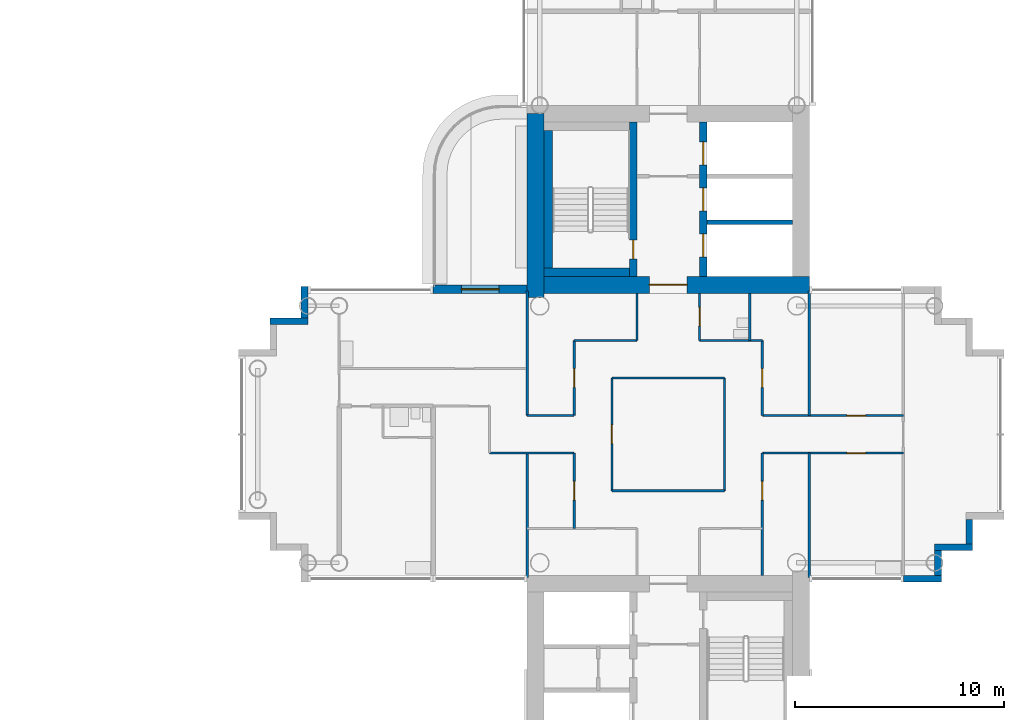
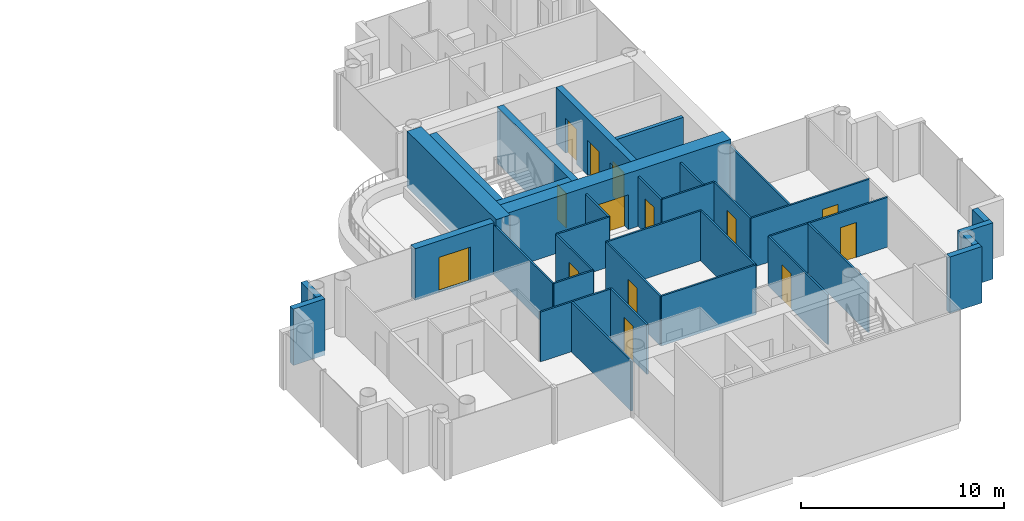
# One storey, part 11 of 19: 35 walls, 14 doors, 14 openings.
"""IFC4 building model written with IfcOpenShell, lengths in metres."""

from ifc_helpers import new_model, si_unit, direction, frame, frame_2d, origin, place, context, subcontext, project, spatial, rectangle, extrude, material, layer, layer_set, type_object, element, fill, save


model = new_model("IFC4")

# Units and contexts
model_context = context("Model", 3, precision=1e-05, world=origin(), true_north=direction((0.0, 1.0)))
body_context = subcontext(model_context, "Body", "Model", "MODEL_VIEW")
ifc_project = project(units=[si_unit("LENGTHUNIT", "METRE"), si_unit("AREAUNIT", "SQUARE_METRE"), si_unit("VOLUMEUNIT", "CUBIC_METRE"), si_unit("PLANEANGLEUNIT", "RADIAN"), si_unit("MASSUNIT", "GRAM", prefix="KILO")], contexts=[model_context])

# Site, building, storey
site_placement = place(None, origin())
site = spatial("IfcSite", under=ifc_project, at=site_placement, CompositionType="ELEMENT")
building_placement = place(site_placement, origin())
building = spatial("IfcBuilding", under=site, at=building_placement, Name="Ipe Terrace Towers", CompositionType="ELEMENT")
storey_placement = place(building_placement, frame((0.0, 0.0, 140.5)))
storey = spatial("IfcBuildingStorey", under=building, at=storey_placement, Name="L38", CompositionType="ELEMENT", Elevation=140.5)

# Wall, opening, door
ifc_material_1 = material(Name="Concrete C40/50 with buff precast cladding", Category="concrete")
ifc_layer_1 = layer(ifc_material_1, 0.39990234375)
ifc_layer_set_1 = layer_set([ifc_layer_1], Name="BALCONY BAY WALL 400")
wall_type_1 = type_object("IfcWallType", Name="BALCONY BAY WALL 400", PredefinedType="STANDARD", material=ifc_layer_set_1)
wall_1_placement = place(storey_placement, frame((29.25, 6.949951171875, -0.02001953125), z_axis=(0.0, 0.0, 1.0), x_axis=(-1.0, 0.0, 0.0)))
wall_1 = element("IfcWall", 1, at=wall_1_placement, inside=storey, type_object=wall_type_1, Name="T2-W-L38-28a wall", PredefinedType="STANDARD", context=body_context, shape_type="SweptSolid", body=[
    extrude(rectangle(XDim=4.5, YDim=0.39990234375, at=frame_2d((2.25, 0.0))), origin(), (0.0, 0.0, 1.0), 3.1201171875),
])
opening_1_placement = place(wall_1_placement, frame((1.35009765625, 0.0, 0.02001953125)))
opening_1 = element("IfcOpeningElement", 2, at=opening_1_placement, cuts=wall_1, Name="Opening T2-D-L38-28", PredefinedType="OPENING", context=body_context, shape_type="SweptSolid", body=[
    extrude(rectangle(XDim=1.800048828125, YDim=2.10009765625, at=frame_2d((0.89990234375, 1.050048828125))), frame((0.0, 0.2099609375, 0.0), z_axis=(0.0, -1.0, 0.0), x_axis=(1.0, 0.0, 0.0)), (0.0, 0.0, 1.0), 0.419921875),
])
ifc_material_2 = material(Name="Aluminium alloy 6063-T6 framed glazed door", Category="aluminium")
door_type_1 = type_object("IfcDoorType", Name="BALCONY DOOR 1800 x 2100 RIGHT", OperationType="SINGLE_SWING_RIGHT", PredefinedType="DOOR", material=ifc_material_2)
door_1_placement = place(opening_1_placement, origin())
door_1 = element("IfcDoor", 3, at=door_1_placement, inside=storey, type_object=door_type_1, Name="DB2 door", OperationType="SINGLE_SWING_RIGHT", OverallHeight=2.10009765625, OverallWidth=1.800048828125, PredefinedType="DOOR", context=body_context, shape_type="SweptSolid", body=[
    extrude(rectangle(XDim=1.800048828125, YDim=2.10009765625, at=frame_2d((0.89990234375, 1.050048828125))), frame((0.0, 0.02490234375, 0.0), z_axis=(0.0, -1.0, 0.0), x_axis=(1.0, 0.0, 0.0)), (0.0, 0.0, 1.0), 0.050048828125),
])
fill(opening_1, door_1)

# Walls
ifc_material_3 = material(Name="Concrete C40/50 with buff precast cladding", Category="concrete")
ifc_layer_2 = layer(ifc_material_3, 0.320068359375)
ifc_layer_set_2 = layer_set([ifc_layer_2], Name="BUFF CLADDING WALL 320")
wall_type_2 = type_object("IfcWallType", Name="BUFF CLADDING WALL 320", PredefinedType="STANDARD", material=ifc_layer_set_2)
wall_2_placement = place(storey_placement, frame((47.25, -6.909912109375, -0.300048828125), z_axis=(0.0, 0.0, 1.0), x_axis=(1.0, 0.0, 0.0)))
element("IfcWall", 4, at=wall_2_placement, inside=storey, type_object=wall_type_2, Name="T2-W-L38-03a wall", PredefinedType="STANDARD", context=body_context, shape_type="SweptSolid", body=[
    extrude(rectangle(XDim=1.820068359375, YDim=0.320068359375, at=frame_2d((0.91015625, 0.0))), origin(), (0.0, 0.0, 1.0), 3.400146484375),
])
wall_3_placement = place(storey_placement, frame((48.909912109375, -6.75, -0.300048828125), z_axis=(0.0, 0.0, 1.0), x_axis=(0.0, 1.0, 0.0)))
element("IfcWall", 5, at=wall_3_placement, inside=storey, type_object=wall_type_2, Name="T2-W-L38-04a wall", PredefinedType="STANDARD", context=body_context, shape_type="SweptSolid", body=[
    extrude(rectangle(XDim=1.179931640625, YDim=0.320068359375, at=frame_2d((0.58984375, 0.0))), origin(), (0.0, 0.0, 1.0), 3.400146484375),
])
wall_4_placement = place(storey_placement, frame((48.75, -5.409912109375, -0.300048828125), z_axis=(0.0, 0.0, 1.0), x_axis=(1.0, 0.0, 0.0)))
element("IfcWall", 6, at=wall_4_placement, inside=storey, type_object=wall_type_2, Name="T2-W-L38-05a wall", PredefinedType="STANDARD", context=body_context, shape_type="SweptSolid", body=[
    extrude(rectangle(XDim=1.820068359375, YDim=0.320068359375, at=frame_2d((0.91015625, 0.0))), origin(), (0.0, 0.0, 1.0), 3.400146484375),
])
wall_5_placement = place(storey_placement, frame((50.409912109375, -5.25, -0.300048828125), z_axis=(0.0, 0.0, 1.0), x_axis=(0.0, 1.0, 0.0)))
element("IfcWall", 7, at=wall_5_placement, inside=storey, type_object=wall_type_2, Name="T2-W-L38-06a wall", PredefinedType="STANDARD", context=body_context, shape_type="SweptSolid", body=[
    extrude(rectangle(XDim=1.179931640625, YDim=0.320068359375, at=frame_2d((0.58984375, 0.0))), origin(), (0.0, 0.0, 1.0), 3.400146484375),
])
wall_6_placement = place(storey_placement, frame((18.590087890625, 7.070068359375, -0.300048828125), z_axis=(0.0, 0.0, 1.0), x_axis=(0.0, -1.0, 0.0)))
element("IfcWall", 8, at=wall_6_placement, inside=storey, type_object=wall_type_2, Name="T2-W-L38-30a wall", PredefinedType="STANDARD", context=body_context, shape_type="SweptSolid", body=[
    extrude(rectangle(XDim=1.5, YDim=0.320068359375, at=frame_2d((0.75, 0.0))), origin(), (0.0, 0.0, 1.0), 3.400146484375),
])
wall_7_placement = place(storey_placement, frame((18.75, 5.409912109375, -0.300048828125), z_axis=(0.0, 0.0, 1.0), x_axis=(-1.0, 0.0, 0.0)))
element("IfcWall", 9, at=wall_7_placement, inside=storey, type_object=wall_type_2, Name="T2-W-L38-31a wall", PredefinedType="STANDARD", context=body_context, shape_type="SweptSolid", body=[
    extrude(rectangle(XDim=1.820068359375, YDim=0.320068359375, at=frame_2d((0.91015625, 0.0))), origin(), (0.0, 0.0, 1.0), 3.400146484375),
])
ifc_material_4 = material(Name="Gypsum board partition", Category="plasterboard")
ifc_layer_3 = layer(ifc_material_4, 0.10009765625)
ifc_layer_set_3 = layer_set([ifc_layer_3], Name="Gypsum board partition 100 mm")
wall_type_3 = type_object("IfcWallType", Name="Gypsum board partition 100 mm", PredefinedType="PARTITIONING", material=ifc_layer_set_3)
wall_8_placement = place(storey_placement, frame((38.699951171875, -2.699951171875, 0.0), z_axis=(0.0, 0.0, 1.0), x_axis=(-1.0, 0.0, 0.0)))
element("IfcWall", 10, at=wall_8_placement, inside=storey, type_object=wall_type_3, Name="Gypsum board partition T2 L38 W03", PredefinedType="PARTITIONING", context=body_context, shape_type="SweptSolid", body=[
    extrude(rectangle(XDim=5.39990234375, YDim=0.10009765625, at=frame_2d((2.699951171875, 0.0))), origin(), (0.0, 0.0, 1.0), 3.0),
])

# Wall, opening, door
wall_9_placement = place(storey_placement, frame((47.25, -0.89990234375, 0.0), z_axis=(0.0, 0.0, 1.0), x_axis=(-1.0, 0.0, 0.0)))
wall_9 = element("IfcWall", 11, at=wall_9_placement, inside=storey, type_object=wall_type_3, Name="Gypsum board partition T2 L38 W04", PredefinedType="PARTITIONING", context=body_context, shape_type="SweptSolid", body=[
    extrude(rectangle(XDim=6.75, YDim=0.10009765625, at=frame_2d((3.375, 0.0))), origin(), (0.0, 0.0, 1.0), 3.0),
])
opening_2_placement = place(wall_9_placement, frame((1.800048828125, 0.0, 0.0)))
opening_2 = element("IfcOpeningElement", 12, at=opening_2_placement, cuts=wall_9, Name="Opening T2-Z3A-15", PredefinedType="OPENING", context=body_context, shape_type="SweptSolid", body=[
    extrude(rectangle(XDim=0.89990234375, YDim=2.10009765625, at=frame_2d((0.449951171875, 1.050048828125))), frame((0.0, 0.06005859375, 0.0), z_axis=(0.0, -1.0, 0.0), x_axis=(1.0, 0.0, 0.0)), (0.0, 0.0, 1.0), 0.1201171875),
])
ifc_material_5 = material(Name="Timber door leaf", Category="wood")
door_type_2 = type_object("IfcDoorType", Name="Lounge door 900 x 2100", OperationType="NOTDEFINED", PredefinedType="DOOR", material=ifc_material_5)
door_2_placement = place(opening_2_placement, origin())
door_2 = element("IfcDoor", 13, at=door_2_placement, inside=storey, type_object=door_type_2, Name="Lounge door T2-Z3A-15", OperationType="SINGLE_SWING_RIGHT", OverallHeight=2.10009765625, OverallWidth=0.89990234375, PredefinedType="DOOR", context=body_context, shape_type="SweptSolid", body=[
    extrude(rectangle(XDim=0.89990234375, YDim=2.10009765625, at=frame_2d((0.449951171875, 1.050048828125))), frame((0.0, 0.02490234375, 0.0), z_axis=(0.0, -1.0, 0.0), x_axis=(1.0, 0.0, 0.0)), (0.0, 0.0, 1.0), 0.050048828125),
])
fill(opening_2, door_2)

# Wall
wall_10_placement = place(storey_placement, frame((31.5, -0.89990234375, 0.0), z_axis=(0.0, 0.0, 1.0), x_axis=(-1.0, 0.0, 0.0)))
element("IfcWall", 14, at=wall_10_placement, inside=storey, type_object=wall_type_3, Name="Gypsum board partition T2 L38 W05", PredefinedType="PARTITIONING", context=body_context, shape_type="SweptSolid", body=[
    extrude(rectangle(XDim=4.050048828125, YDim=0.10009765625, at=frame_2d((2.02490234375, 0.0))), origin(), (0.0, 0.0, 1.0), 3.0),
])

# Wall, opening, door
wall_11_placement = place(storey_placement, frame((47.25, 0.89990234375, 0.0), z_axis=(0.0, 0.0, 1.0), x_axis=(-1.0, 0.0, 0.0)))
wall_11 = element("IfcWall", 15, at=wall_11_placement, inside=storey, type_object=wall_type_3, Name="Gypsum board partition T2 L38 W07", PredefinedType="PARTITIONING", context=body_context, shape_type="SweptSolid", body=[
    extrude(rectangle(XDim=6.75, YDim=0.10009765625, at=frame_2d((3.375, 0.0))), origin(), (0.0, 0.0, 1.0), 3.0),
])
opening_3_placement = place(wall_11_placement, frame((1.800048828125, 0.0, 0.0)))
opening_3 = element("IfcOpeningElement", 16, at=opening_3_placement, cuts=wall_11, Name="Opening T2-Z3A-14", PredefinedType="OPENING", context=body_context, shape_type="SweptSolid", body=[
    extrude(rectangle(XDim=0.89990234375, YDim=2.10009765625, at=frame_2d((0.449951171875, 1.050048828125))), frame((0.0, 0.06005859375, 0.0), z_axis=(0.0, -1.0, 0.0), x_axis=(1.0, 0.0, 0.0)), (0.0, 0.0, 1.0), 0.1201171875),
])
door_3_placement = place(opening_3_placement, origin())
door_3 = element("IfcDoor", 17, at=door_3_placement, inside=storey, type_object=door_type_2, Name="Lounge door T2-Z3A-14", OperationType="SINGLE_SWING_LEFT", OverallHeight=2.10009765625, OverallWidth=0.89990234375, PredefinedType="DOOR", context=body_context, shape_type="SweptSolid", body=[
    extrude(rectangle(XDim=0.89990234375, YDim=2.10009765625, at=frame_2d((0.449951171875, 1.050048828125))), frame((0.0, 0.02490234375, 0.0), z_axis=(0.0, -1.0, 0.0), x_axis=(1.0, 0.0, 0.0)), (0.0, 0.0, 1.0), 0.050048828125),
])
fill(opening_3, door_3)

# Walls
wall_12_placement = place(storey_placement, frame((31.5, 0.89990234375, 0.0), z_axis=(0.0, 0.0, 1.0), x_axis=(-1.0, 0.0, 0.0)))
element("IfcWall", 18, at=wall_12_placement, inside=storey, type_object=wall_type_3, Name="Gypsum board partition T2 L38 W08", PredefinedType="PARTITIONING", context=body_context, shape_type="SweptSolid", body=[
    extrude(rectangle(XDim=2.25, YDim=0.10009765625, at=frame_2d((1.125, 0.0))), origin(), (0.0, 0.0, 1.0), 3.0),
])
wall_13_placement = place(storey_placement, frame((38.699951171875, 2.699951171875, 0.0), z_axis=(0.0, 0.0, 1.0), x_axis=(-1.0, 0.0, 0.0)))
element("IfcWall", 19, at=wall_13_placement, inside=storey, type_object=wall_type_3, Name="Gypsum board partition T2 L38 W11", PredefinedType="PARTITIONING", context=body_context, shape_type="SweptSolid", body=[
    extrude(rectangle(XDim=5.39990234375, YDim=0.10009765625, at=frame_2d((2.699951171875, 0.0))), origin(), (0.0, 0.0, 1.0), 3.0),
])
for number, where, z_axis, x_axis, name in (
    (20, (40.5, 4.5, 0.0), (0.0, 0.0, 1.0), (-1.0, 0.0, 0.0), "Gypsum board partition T2 L38 W13"),
    (21, (34.5, 4.5, 0.0), (0.0, 0.0, 1.0), (-1.0, 0.0, 0.0), "Gypsum board partition T2 L38 W14"),
):
    element("IfcWall", number, at=place(storey_placement, frame(where, z_axis=z_axis, x_axis=x_axis)), inside=storey, type_object=wall_type_3, Name=name, PredefinedType="PARTITIONING", context=body_context, shape_type="SweptSolid", body=[
        extrude(rectangle(XDim=3.0, YDim=0.10009765625, at=frame_2d((1.5, 0.0))), origin(), (0.0, 0.0, 1.0), 3.0),
    ])
for number, where, z_axis, x_axis, name in (
    (22, (42.75, -6.85009765625, 0.0), (0.0, 0.0, 1.0), (0.0, 1.0, 0.0), "Gypsum board partition T2 L38 W18"),
    (23, (42.75, 0.89990234375, 0.0), (0.0, 0.0, 1.0), (0.0, 1.0, 0.0), "Gypsum board partition T2 L38 W19"),
):
    element("IfcWall", number, at=place(storey_placement, frame(where, z_axis=z_axis, x_axis=x_axis)), inside=storey, type_object=wall_type_3, Name=name, PredefinedType="PARTITIONING", context=body_context, shape_type="SweptSolid", body=[
        extrude(rectangle(XDim=5.9501953125, YDim=0.10009765625, at=frame_2d((2.97509765625, 0.0))), origin(), (0.0, 0.0, 1.0), 3.0),
    ])

# Wall, opening, door
wall_14_placement = place(storey_placement, frame((40.5, -6.75, 0.0), z_axis=(0.0, 0.0, 1.0), x_axis=(0.0, 1.0, 0.0)))
wall_14 = element("IfcWall", 24, at=wall_14_placement, inside=storey, type_object=wall_type_3, Name="Gypsum board partition T2 L38 W20", PredefinedType="PARTITIONING", context=body_context, shape_type="SweptSolid", body=[
    extrude(rectangle(XDim=5.85009765625, YDim=0.10009765625, at=frame_2d((2.925048828125, 0.0))), origin(), (0.0, 0.0, 1.0), 3.0),
])
opening_4_placement = place(wall_14_placement, frame((3.60009765625, 0.0, 0.0)))
opening_4 = element("IfcOpeningElement", 25, at=opening_4_placement, cuts=wall_14, Name="Opening T2-Z3A-06", PredefinedType="OPENING", context=body_context, shape_type="SweptSolid", body=[
    extrude(rectangle(XDim=0.89990234375, YDim=2.10009765625, at=frame_2d((0.449951171875, 1.050048828125))), frame((0.0, 0.06005859375, 0.0), z_axis=(0.0, -1.0, 0.0), x_axis=(1.0, 0.0, 0.0)), (0.0, 0.0, 1.0), 0.1201171875),
])
door_4_placement = place(opening_4_placement, origin())
door_4 = element("IfcDoor", 26, at=door_4_placement, inside=storey, type_object=door_type_2, Name="Lounge door T2-Z3A-06", OperationType="SINGLE_SWING_RIGHT", OverallHeight=2.10009765625, OverallWidth=0.89990234375, PredefinedType="DOOR", context=body_context, shape_type="SweptSolid", body=[
    extrude(rectangle(XDim=0.89990234375, YDim=2.10009765625, at=frame_2d((0.449951171875, 1.050048828125))), frame((0.0, 0.02490234375, 0.0), z_axis=(0.0, -1.0, 0.0), x_axis=(1.0, 0.0, 0.0)), (0.0, 0.0, 1.0), 0.050048828125),
])
fill(opening_4, door_4)

wall_15_placement = place(storey_placement, frame((40.5, 0.89990234375, 0.0), z_axis=(0.0, 0.0, 1.0), x_axis=(0.0, 1.0, 0.0)))
wall_15 = element("IfcWall", 27, at=wall_15_placement, inside=storey, type_object=wall_type_3, Name="Gypsum board partition T2 L38 W21", PredefinedType="PARTITIONING", context=body_context, shape_type="SweptSolid", body=[
    extrude(rectangle(XDim=3.60009765625, YDim=0.10009765625, at=frame_2d((1.800048828125, 0.0))), origin(), (0.0, 0.0, 1.0), 3.0),
])
opening_5_placement = place(wall_15_placement, frame((1.35009765625, 0.0, 0.0)))
opening_5 = element("IfcOpeningElement", 28, at=opening_5_placement, cuts=wall_15, Name="Opening T2-Z3A-08", PredefinedType="OPENING", context=body_context, shape_type="SweptSolid", body=[
    extrude(rectangle(XDim=0.89990234375, YDim=2.10009765625, at=frame_2d((0.449951171875, 1.050048828125))), frame((0.0, 0.06005859375, 0.0), z_axis=(0.0, -1.0, 0.0), x_axis=(1.0, 0.0, 0.0)), (0.0, 0.0, 1.0), 0.1201171875),
])
door_5_placement = place(opening_5_placement, origin())
door_5 = element("IfcDoor", 29, at=door_5_placement, inside=storey, type_object=door_type_2, Name="Lounge door T2-Z3A-08", OperationType="SINGLE_SWING_RIGHT", OverallHeight=2.10009765625, OverallWidth=0.89990234375, PredefinedType="DOOR", context=body_context, shape_type="SweptSolid", body=[
    extrude(rectangle(XDim=0.89990234375, YDim=2.10009765625, at=frame_2d((0.449951171875, 1.050048828125))), frame((0.0, 0.02490234375, 0.0), z_axis=(0.0, -1.0, 0.0), x_axis=(1.0, 0.0, 0.0)), (0.0, 0.0, 1.0), 0.050048828125),
])
fill(opening_5, door_5)

# Walls
wall_16_placement = place(storey_placement, frame((39.89990234375, 4.5, 0.0), z_axis=(0.0, 0.0, 1.0), x_axis=(0.0, 1.0, 0.0)))
element("IfcWall", 30, at=wall_16_placement, inside=storey, type_object=wall_type_3, Name="Gypsum board partition T2 L38 W22", PredefinedType="PARTITIONING", context=body_context, shape_type="SweptSolid", body=[
    extrude(rectangle(XDim=2.25, YDim=0.10009765625, at=frame_2d((1.125, 0.0))), origin(), (0.0, 0.0, 1.0), 3.0),
])
wall_17_placement = place(storey_placement, frame((38.699951171875, -2.699951171875, 0.0), z_axis=(0.0, 0.0, 1.0), x_axis=(0.0, 1.0, 0.0)))
element("IfcWall", 31, at=wall_17_placement, inside=storey, type_object=wall_type_3, Name="Gypsum board partition T2 L38 W23", PredefinedType="PARTITIONING", context=body_context, shape_type="SweptSolid", body=[
    extrude(rectangle(XDim=5.39990234375, YDim=0.10009765625, at=frame_2d((2.699951171875, 0.0))), origin(), (0.0, 0.0, 1.0), 3.0),
])

# Wall, opening, door
wall_18_placement = place(storey_placement, frame((37.5, 4.5, 0.0), z_axis=(0.0, 0.0, 1.0), x_axis=(0.0, 1.0, 0.0)))
wall_18 = element("IfcWall", 32, at=wall_18_placement, inside=storey, type_object=wall_type_3, Name="Gypsum board partition T2 L38 W26", PredefinedType="PARTITIONING", context=body_context, shape_type="SweptSolid", body=[
    extrude(rectangle(XDim=2.25, YDim=0.10009765625, at=frame_2d((1.125, 0.0))), origin(), (0.0, 0.0, 1.0), 3.0),
])
opening_6_placement = place(wall_18_placement, frame((0.675048828125, 0.0, 0.0)))
opening_6 = element("IfcOpeningElement", 33, at=opening_6_placement, cuts=wall_18, Name="Opening T2-Z3A-02", PredefinedType="OPENING", context=body_context, shape_type="SweptSolid", body=[
    extrude(rectangle(XDim=0.89990234375, YDim=2.10009765625, at=frame_2d((0.449951171875, 1.050048828125))), frame((0.0, 0.06005859375, 0.0), z_axis=(0.0, -1.0, 0.0), x_axis=(1.0, 0.0, 0.0)), (0.0, 0.0, 1.0), 0.1201171875),
])
ifc_material_6 = material(Name="Timber door leaf", Category="wood")
door_type_3 = type_object("IfcDoorType", Name="Bathroom door 900 x 2100", OperationType="NOTDEFINED", PredefinedType="DOOR", material=ifc_material_6)
door_6_placement = place(opening_6_placement, origin())
door_6 = element("IfcDoor", 34, at=door_6_placement, inside=storey, type_object=door_type_3, Name="Bathroom door T2-Z3A-02", OperationType="SINGLE_SWING_RIGHT", OverallHeight=2.10009765625, OverallWidth=0.89990234375, PredefinedType="DOOR", context=body_context, shape_type="SweptSolid", body=[
    extrude(rectangle(XDim=0.89990234375, YDim=2.10009765625, at=frame_2d((0.449951171875, 1.050048828125))), frame((0.0, 0.02490234375, 0.0), z_axis=(0.0, -1.0, 0.0), x_axis=(1.0, 0.0, 0.0)), (0.0, 0.0, 1.0), 0.050048828125),
])
fill(opening_6, door_6)

# Wall
wall_19_placement = place(storey_placement, frame((34.5, 4.5, 0.0), z_axis=(0.0, 0.0, 1.0), x_axis=(0.0, 1.0, 0.0)))
element("IfcWall", 35, at=wall_19_placement, inside=storey, type_object=wall_type_3, Name="Gypsum board partition T2 L38 W30", PredefinedType="PARTITIONING", context=body_context, shape_type="SweptSolid", body=[
    extrude(rectangle(XDim=2.25, YDim=0.10009765625, at=frame_2d((1.125, 0.0))), origin(), (0.0, 0.0, 1.0), 3.0),
])

# Wall, opening, door
wall_20_placement = place(storey_placement, frame((33.300048828125, -2.699951171875, 0.0), z_axis=(0.0, 0.0, 1.0), x_axis=(0.0, 1.0, 0.0)))
wall_20 = element("IfcWall", 36, at=wall_20_placement, inside=storey, type_object=wall_type_3, Name="Gypsum board partition T2 L38 W33", PredefinedType="PARTITIONING", context=body_context, shape_type="SweptSolid", body=[
    extrude(rectangle(XDim=5.39990234375, YDim=0.10009765625, at=frame_2d((2.699951171875, 0.0))), origin(), (0.0, 0.0, 1.0), 3.0),
])
opening_7_placement = place(wall_20_placement, frame((2.25, 0.0, 0.0)))
opening_7 = element("IfcOpeningElement", 37, at=opening_7_placement, cuts=wall_20, Name="Opening T2-Z3A-01", PredefinedType="OPENING", context=body_context, shape_type="SweptSolid", body=[
    extrude(rectangle(XDim=0.89990234375, YDim=2.10009765625, at=frame_2d((0.449951171875, 1.050048828125))), frame((0.0, 0.06005859375, 0.0), z_axis=(0.0, -1.0, 0.0), x_axis=(1.0, 0.0, 0.0)), (0.0, 0.0, 1.0), 0.1201171875),
])
door_7_placement = place(opening_7_placement, origin())
door_7 = element("IfcDoor", 38, at=door_7_placement, inside=storey, type_object=door_type_2, Name="Lounge door T2-Z3A-01", OperationType="SINGLE_SWING_RIGHT", OverallHeight=2.10009765625, OverallWidth=0.89990234375, PredefinedType="DOOR", context=body_context, shape_type="SweptSolid", body=[
    extrude(rectangle(XDim=0.89990234375, YDim=2.10009765625, at=frame_2d((0.449951171875, 1.050048828125))), frame((0.0, 0.02490234375, 0.0), z_axis=(0.0, -1.0, 0.0), x_axis=(1.0, 0.0, 0.0)), (0.0, 0.0, 1.0), 0.050048828125),
])
fill(opening_7, door_7)

wall_21_placement = place(storey_placement, frame((31.5, -4.5, 0.0), z_axis=(0.0, 0.0, 1.0), x_axis=(0.0, 1.0, 0.0)))
wall_21 = element("IfcWall", 39, at=wall_21_placement, inside=storey, type_object=wall_type_3, Name="Gypsum board partition T2 L38 W34", PredefinedType="PARTITIONING", context=body_context, shape_type="SweptSolid", body=[
    extrude(rectangle(XDim=3.60009765625, YDim=0.10009765625, at=frame_2d((1.800048828125, 0.0))), origin(), (0.0, 0.0, 1.0), 3.0),
])
opening_8_placement = place(wall_21_placement, frame((1.35009765625, 0.0, 0.0)))
opening_8 = element("IfcOpeningElement", 40, at=opening_8_placement, cuts=wall_21, Name="Opening T2-Z3A-04", PredefinedType="OPENING", context=body_context, shape_type="SweptSolid", body=[
    extrude(rectangle(XDim=0.89990234375, YDim=2.10009765625, at=frame_2d((0.449951171875, 1.050048828125))), frame((0.0, 0.06005859375, 0.0), z_axis=(0.0, -1.0, 0.0), x_axis=(1.0, 0.0, 0.0)), (0.0, 0.0, 1.0), 0.1201171875),
])
door_8_placement = place(opening_8_placement, origin())
door_8 = element("IfcDoor", 41, at=door_8_placement, inside=storey, type_object=door_type_2, Name="Lounge door T2-Z3A-04", OperationType="SINGLE_SWING_RIGHT", OverallHeight=2.10009765625, OverallWidth=0.89990234375, PredefinedType="DOOR", context=body_context, shape_type="SweptSolid", body=[
    extrude(rectangle(XDim=0.89990234375, YDim=2.10009765625, at=frame_2d((0.449951171875, 1.050048828125))), frame((0.0, 0.02490234375, 0.0), z_axis=(0.0, -1.0, 0.0), x_axis=(1.0, 0.0, 0.0)), (0.0, 0.0, 1.0), 0.050048828125),
])
fill(opening_8, door_8)

wall_22_placement = place(storey_placement, frame((31.5, 0.89990234375, 0.0), z_axis=(0.0, 0.0, 1.0), x_axis=(0.0, 1.0, 0.0)))
wall_22 = element("IfcWall", 42, at=wall_22_placement, inside=storey, type_object=wall_type_3, Name="Gypsum board partition T2 L38 W35", PredefinedType="PARTITIONING", context=body_context, shape_type="SweptSolid", body=[
    extrude(rectangle(XDim=3.60009765625, YDim=0.10009765625, at=frame_2d((1.800048828125, 0.0))), origin(), (0.0, 0.0, 1.0), 3.0),
])
opening_9_placement = place(wall_22_placement, frame((1.35009765625, 0.0, 0.0)))
opening_9 = element("IfcOpeningElement", 43, at=opening_9_placement, cuts=wall_22, Name="Opening T2-Z3A-03", PredefinedType="OPENING", context=body_context, shape_type="SweptSolid", body=[
    extrude(rectangle(XDim=0.89990234375, YDim=2.10009765625, at=frame_2d((0.449951171875, 1.050048828125))), frame((0.0, 0.06005859375, 0.0), z_axis=(0.0, -1.0, 0.0), x_axis=(1.0, 0.0, 0.0)), (0.0, 0.0, 1.0), 0.1201171875),
])
door_9_placement = place(opening_9_placement, origin())
door_9 = element("IfcDoor", 44, at=door_9_placement, inside=storey, type_object=door_type_2, Name="Lounge door T2-Z3A-03", OperationType="SINGLE_SWING_RIGHT", OverallHeight=2.10009765625, OverallWidth=0.89990234375, PredefinedType="DOOR", context=body_context, shape_type="SweptSolid", body=[
    extrude(rectangle(XDim=0.89990234375, YDim=2.10009765625, at=frame_2d((0.449951171875, 1.050048828125))), frame((0.0, 0.02490234375, 0.0), z_axis=(0.0, -1.0, 0.0), x_axis=(1.0, 0.0, 0.0)), (0.0, 0.0, 1.0), 0.050048828125),
])
fill(opening_9, door_9)

# Walls
for number, where, z_axis, x_axis, name in (
    (45, (29.25, -6.85009765625, 0.0), (0.0, 0.0, 1.0), (0.0, 1.0, 0.0), "Gypsum board partition T2 L38 W36"),
    (46, (29.25, 0.89990234375, 0.0), (0.0, 0.0, 1.0), (0.0, 1.0, 0.0), "Gypsum board partition T2 L38 W37"),
):
    element("IfcWall", number, at=place(storey_placement, frame(where, z_axis=z_axis, x_axis=x_axis)), inside=storey, type_object=wall_type_3, Name=name, PredefinedType="PARTITIONING", context=body_context, shape_type="SweptSolid", body=[
        extrude(rectangle(XDim=5.9501953125, YDim=0.10009765625, at=frame_2d((2.97509765625, 0.0))), origin(), (0.0, 0.0, 1.0), 3.0),
    ])
ifc_material_7 = material(Name="Gypsum board party wall", Category="plasterboard")
ifc_layer_4 = layer(ifc_material_7, 0.199951171875)
ifc_layer_set_4 = layer_set([ifc_layer_4], Name="Gypsum board party wall 200 mm")
wall_type_4 = type_object("IfcWallType", Name="Gypsum board party wall 200 mm", PredefinedType="SOLIDWALL", material=ifc_layer_set_4)
wall_23_placement = place(storey_placement, frame((41.949951171875, 10.14990234375, 0.0), z_axis=(0.0, 0.0, 1.0), x_axis=(-1.0, 0.0, 0.0)))
element("IfcWall", 47, at=wall_23_placement, inside=storey, type_object=wall_type_4, Name="Gypsum board party wall T2 L38 t2c1-shaft-div1", PredefinedType="SOLIDWALL", context=body_context, shape_type="SweptSolid", body=[
    extrude(rectangle(XDim=4.099853515625, YDim=0.199951171875, at=frame_2d((2.0498046875, 0.0))), origin(), (0.0, 0.0, 1.0), 3.0),
])

# Wall, opening, door
ifc_material_8 = material(Name="Concrete C50/60", Category="concrete")
ifc_layer_5 = layer(ifc_material_8, 0.35009765625)
ifc_layer_set_5 = layer_set([ifc_layer_5], Name="RW350 CORE SPINE WALL 350 C50-60")
wall_type_5 = type_object("IfcWallType", Name="RW350 CORE SPINE WALL 350 C50-60", PredefinedType="SHEAR", material=ifc_layer_set_5)
wall_24_placement = place(storey_placement, frame((34.324951171875, 7.550048828125, 0.0), z_axis=(0.0, 0.0, 1.0), x_axis=(0.0, 1.0, 0.0)))
wall_24 = element("IfcWall", 48, at=wall_24_placement, inside=storey, type_object=wall_type_5, Name="Core spine wall T2-C1-Z3-SW1", PredefinedType="SHEAR", context=body_context, shape_type="SweptSolid", body=[
    extrude(rectangle(XDim=7.39990234375, YDim=0.35009765625, at=frame_2d((3.699951171875, 0.0))), origin(), (0.0, 0.0, 1.0), 3.39990234375),
])
opening_10_placement = place(wall_24_placement, frame((0.85009765625, 0.0, 0.0)))
opening_10 = element("IfcOpeningElement", 49, at=opening_10_placement, cuts=wall_24, Name="Opening T2C1-SD", PredefinedType="OPENING", context=body_context, shape_type="SweptSolid", body=[
    extrude(rectangle(XDim=0.89990234375, YDim=2.10009765625, at=frame_2d((0.449951171875, 1.050048828125))), frame((0.0, 0.18505859375, 0.0), z_axis=(0.0, -1.0, 0.0), x_axis=(1.0, 0.0, 0.0)), (0.0, 0.0, 1.0), 0.3701171875),
])
ifc_material_9 = material(Name="Fire-rated timber door leaf", Category="wood")
door_type_4 = type_object("IfcDoorType", Name="Stair door 900 x 2100 FD60", OperationType="NOTDEFINED", PredefinedType="DOOR", material=ifc_material_9)
door_10_placement = place(opening_10_placement, origin())
door_10 = element("IfcDoor", 50, at=door_10_placement, inside=storey, type_object=door_type_4, Name="Stair door T2C1-SD", OperationType="SINGLE_SWING_LEFT", OverallHeight=2.10009765625, OverallWidth=0.89990234375, PredefinedType="DOOR", context=body_context, shape_type="SweptSolid", body=[
    extrude(rectangle(XDim=0.89990234375, YDim=2.10009765625, at=frame_2d((0.449951171875, 1.050048828125))), frame((0.0, 0.02490234375, 0.0), z_axis=(0.0, -1.0, 0.0), x_axis=(1.0, 0.0, 0.0)), (0.0, 0.0, 1.0), 0.050048828125),
])
fill(opening_10, door_10)

# Wall, openings, doors
wall_25_placement = place(storey_placement, frame((37.675048828125, 7.550048828125, 0.0), z_axis=(0.0, 0.0, 1.0), x_axis=(0.0, 1.0, 0.0)))
wall_25 = element("IfcWall", 51, at=wall_25_placement, inside=storey, type_object=wall_type_5, Name="Core spine wall T2-C1-Z3-SW2", PredefinedType="SHEAR", context=body_context, shape_type="SweptSolid", body=[
    extrude(rectangle(XDim=7.39990234375, YDim=0.35009765625, at=frame_2d((3.699951171875, 0.0))), origin(), (0.0, 0.0, 1.0), 3.39990234375),
])
opening_11_placement = place(wall_25_placement, frame((0.949951171875, 0.0, 0.0)))
opening_11 = element("IfcOpeningElement", 52, at=opening_11_placement, cuts=wall_25, Name="Opening T2C1-LD1", PredefinedType="OPENING", context=body_context, shape_type="SweptSolid", body=[
    extrude(rectangle(XDim=1.10009765625, YDim=2.10009765625, at=frame_2d((0.550048828125, 1.050048828125))), frame((0.0, 0.18505859375, 0.0), z_axis=(0.0, -1.0, 0.0), x_axis=(1.0, 0.0, 0.0)), (0.0, 0.0, 1.0), 0.3701171875),
])
opening_12_placement = place(wall_25_placement, frame((3.14990234375, 0.0, 0.0)))
opening_12 = element("IfcOpeningElement", 53, at=opening_12_placement, cuts=wall_25, Name="Opening T2C1-LD2", PredefinedType="OPENING", context=body_context, shape_type="SweptSolid", body=[
    extrude(rectangle(XDim=1.10009765625, YDim=2.10009765625, at=frame_2d((0.550048828125, 1.050048828125))), frame((0.0, 0.18505859375, 0.0), z_axis=(0.0, -1.0, 0.0), x_axis=(1.0, 0.0, 0.0)), (0.0, 0.0, 1.0), 0.3701171875),
])
opening_13_placement = place(wall_25_placement, frame((5.35009765625, 0.0, 0.0)))
opening_13 = element("IfcOpeningElement", 54, at=opening_13_placement, cuts=wall_25, Name="Opening T2C1-LD3", PredefinedType="OPENING", context=body_context, shape_type="SweptSolid", body=[
    extrude(rectangle(XDim=1.10009765625, YDim=2.10009765625, at=frame_2d((0.550048828125, 1.050048828125))), frame((0.0, 0.18505859375, 0.0), z_axis=(0.0, -1.0, 0.0), x_axis=(1.0, 0.0, 0.0)), (0.0, 0.0, 1.0), 0.3701171875),
])
ifc_material_10 = material(Name="Fire-rated timber door leaf", Category="wood")
door_type_5 = type_object("IfcDoorType", Name="Sliding door 1100 x 2100 FD60", OperationType="SLIDING_TO_LEFT", PredefinedType="DOOR", material=ifc_material_10)
door_11_placement = place(opening_11_placement, origin())
door_11 = element("IfcDoor", 55, at=door_11_placement, inside=storey, type_object=door_type_5, Name="Sliding door T2C1-LD1", OperationType="SLIDING_TO_LEFT", OverallHeight=2.10009765625, OverallWidth=1.10009765625, PredefinedType="DOOR", context=body_context, shape_type="SweptSolid", body=[
    extrude(rectangle(XDim=1.10009765625, YDim=2.10009765625, at=frame_2d((0.550048828125, 1.050048828125))), frame((0.0, 0.02490234375, 0.0), z_axis=(0.0, -1.0, 0.0), x_axis=(1.0, 0.0, 0.0)), (0.0, 0.0, 1.0), 0.050048828125),
])
fill(opening_11, door_11)
door_12_placement = place(opening_12_placement, origin())
door_12 = element("IfcDoor", 56, at=door_12_placement, inside=storey, type_object=door_type_5, Name="Sliding door T2C1-LD2", OperationType="SLIDING_TO_LEFT", OverallHeight=2.10009765625, OverallWidth=1.10009765625, PredefinedType="DOOR", context=body_context, shape_type="SweptSolid", body=[
    extrude(rectangle(XDim=1.10009765625, YDim=2.10009765625, at=frame_2d((0.550048828125, 1.050048828125))), frame((0.0, 0.02490234375, 0.0), z_axis=(0.0, -1.0, 0.0), x_axis=(1.0, 0.0, 0.0)), (0.0, 0.0, 1.0), 0.050048828125),
])
fill(opening_12, door_12)
door_13_placement = place(opening_13_placement, origin())
door_13 = element("IfcDoor", 57, at=door_13_placement, inside=storey, type_object=door_type_5, Name="Sliding door T2C1-LD3", OperationType="SLIDING_TO_LEFT", OverallHeight=2.10009765625, OverallWidth=1.10009765625, PredefinedType="DOOR", context=body_context, shape_type="SweptSolid", body=[
    extrude(rectangle(XDim=1.10009765625, YDim=2.10009765625, at=frame_2d((0.550048828125, 1.050048828125))), frame((0.0, 0.02490234375, 0.0), z_axis=(0.0, -1.0, 0.0), x_axis=(1.0, 0.0, 0.0)), (0.0, 0.0, 1.0), 0.050048828125),
])
fill(opening_13, door_13)

# Walls
ifc_material_11 = material(Name="Concrete C50/60", Category="concrete")
ifc_layer_6 = layer(ifc_material_11, 0.39990234375)
ifc_layer_set_6 = layer_set([ifc_layer_6], Name="RW400 CORE INFILL WALL 400 C50-60")
wall_type_6 = type_object("IfcWallType", Name="RW400 CORE INFILL WALL 400 C50-60", PredefinedType="SHEAR", material=ifc_layer_set_6)
wall_26_placement = place(storey_placement, frame((30.25, 7.949951171875, 0.0), z_axis=(0.0, 0.0, 1.0), x_axis=(0.0, 1.0, 0.0)))
element("IfcWall", 58, at=wall_26_placement, inside=storey, type_object=wall_type_6, Name="Core infill wall T2-C1-back", PredefinedType="SHEAR", context=body_context, shape_type="SweptSolid", body=[
    extrude(rectangle(XDim=6.60009765625, YDim=0.39990234375, at=frame_2d((3.300048828125, 0.0))), origin(), (0.0, 0.0, 1.0), 3.39990234375),
])
wall_27_placement = place(storey_placement, frame((34.14990234375, 7.75, 0.0), z_axis=(0.0, 0.0, 1.0), x_axis=(-1.0, 0.0, 0.0)))
element("IfcWall", 59, at=wall_27_placement, inside=storey, type_object=wall_type_6, Name="Core infill wall T2-C1-near", PredefinedType="SHEAR", context=body_context, shape_type="SweptSolid", body=[
    extrude(rectangle(XDim=4.099853515625, YDim=0.39990234375, at=frame_2d((2.0498046875, 0.0))), origin(), (0.0, 0.0, 1.0), 3.39990234375),
])

# Wall, opening, door
ifc_material_12 = material(Name="Concrete C50/60", Category="concrete")
ifc_layer_7 = layer(ifc_material_12, 0.800048828125)
ifc_layer_set_7 = layer_set([ifc_layer_7], Name="RW800 CORE WALL 800 C50-60")
wall_type_7 = type_object("IfcWallType", Name="RW800 CORE WALL 800 C50-60", PredefinedType="SHEAR", material=ifc_layer_set_7)
wall_28_placement = place(storey_placement, frame((30.050048828125, 7.14990234375, 0.0), z_axis=(0.0, 0.0, 1.0), x_axis=(1.0, 0.0, 0.0)))
wall_28 = element("IfcWall", 60, at=wall_28_placement, inside=storey, type_object=wall_type_7, Name="Core wall T2-C1-Z3-W01", PredefinedType="SHEAR", context=body_context, shape_type="SweptSolid", body=[
    extrude(rectangle(XDim=12.699951171875, YDim=0.800048828125, at=frame_2d((6.35009765625, 0.0))), origin(), (0.0, 0.0, 1.0), 3.39990234375),
])
opening_14_placement = place(wall_28_placement, frame((5.050048828125, 0.0, 0.0)))
opening_14 = element("IfcOpeningElement", 61, at=opening_14_placement, cuts=wall_28, Name="Opening T2C1-ND", PredefinedType="OPENING", context=body_context, shape_type="SweptSolid", body=[
    extrude(rectangle(XDim=1.800048828125, YDim=2.10009765625, at=frame_2d((0.89990234375, 1.050048828125))), frame((0.0, 0.41015625, 0.0), z_axis=(0.0, -1.0, 0.0), x_axis=(1.0, 0.0, 0.0)), (0.0, 0.0, 1.0), 0.820068359375),
])
ifc_material_13 = material(Name="Fire-rated timber door leaf", Category="wood")
door_type_6 = type_object("IfcDoorType", Name="Fire door 1800 x 2100 FD30S", OperationType="NOTDEFINED", PredefinedType="DOOR", material=ifc_material_13)
door_14_placement = place(opening_14_placement, origin())
door_14 = element("IfcDoor", 62, at=door_14_placement, inside=storey, type_object=door_type_6, Name="Fire door T2C1-ND", OperationType="SINGLE_SWING_LEFT", OverallHeight=2.10009765625, OverallWidth=1.800048828125, PredefinedType="DOOR", context=body_context, shape_type="SweptSolid", body=[
    extrude(rectangle(XDim=1.800048828125, YDim=2.10009765625, at=frame_2d((0.89990234375, 1.050048828125))), frame((0.0, 0.02490234375, 0.0), z_axis=(0.0, -1.0, 0.0), x_axis=(1.0, 0.0, 0.0)), (0.0, 0.0, 1.0), 0.050048828125),
])
fill(opening_14, door_14)

# Wall
wall_29_placement = place(storey_placement, frame((29.64990234375, 15.347900390625, 0.0), z_axis=(0.0, 0.0, 1.0), x_axis=(0.0, -1.0, 0.0)))
element("IfcWall", 63, at=wall_29_placement, inside=storey, type_object=wall_type_7, Name="Core wall T2-C1-Z3-W04", PredefinedType="SHEAR", context=body_context, shape_type="SweptSolid", body=[
    extrude(rectangle(XDim=8.7958984375, YDim=0.800048828125, at=frame_2d((4.39794921875, 0.0))), origin(), (0.0, 0.0, 1.0), 3.39990234375),
])

save(model, "model.ifc")
